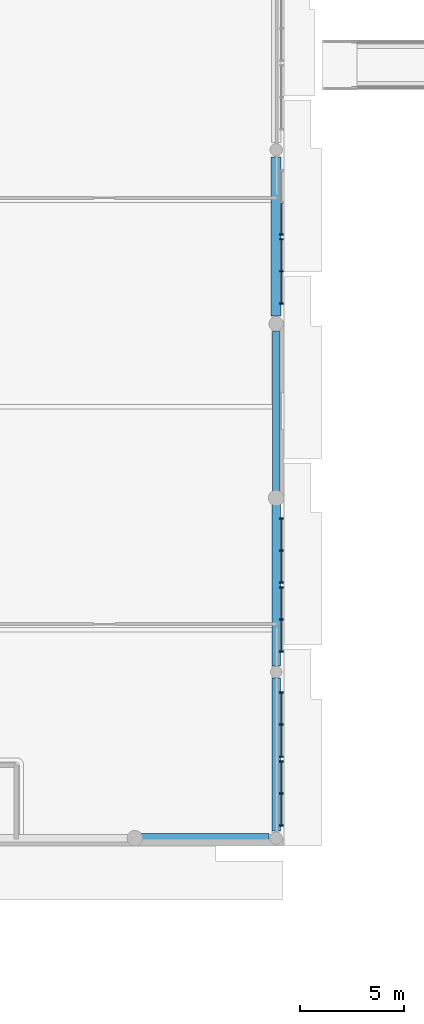
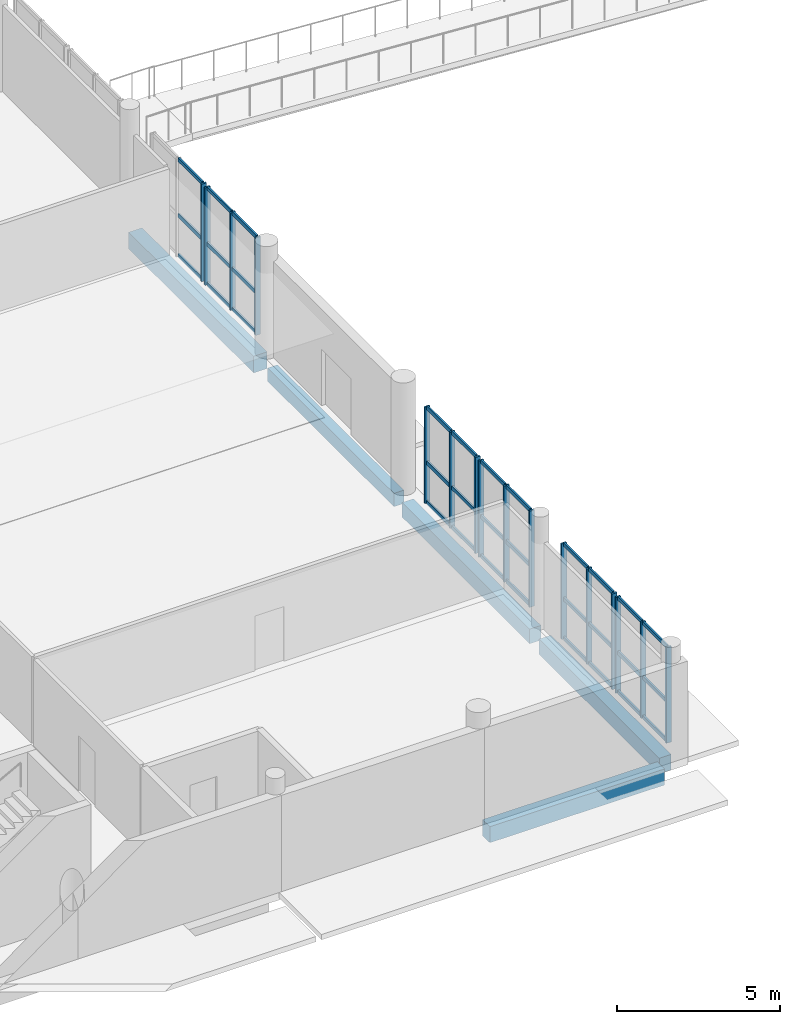
# One storey, part 19 of 77: 49 members, 5 beams, 6 elements without a shape of their own.
"""IFC4 building model written with IfcOpenShell, lengths in metres."""

from ifc_helpers import new_model, si_unit, direction, frame, origin, origin_2d, place, context, subcontext, project, spatial, rectangle, extrude, material, layer, layer_set, material_profile, profile_set, type_object, element, aggregate, save


model = new_model("IFC4")

# Units and contexts
model_context = context("Model", 3, precision=1e-05, world=origin(), true_north=direction((0.0, 1.0)))
body_context = subcontext(model_context, "Body", "Model", "MODEL_VIEW")
ifc_project = project(units=[si_unit("LENGTHUNIT", "METRE"), si_unit("AREAUNIT", "SQUARE_METRE"), si_unit("VOLUMEUNIT", "CUBIC_METRE"), si_unit("PLANEANGLEUNIT", "RADIAN"), si_unit("MASSUNIT", "GRAM", prefix="KILO")], contexts=[model_context])

# Site, building, storey
site_placement = place(None, origin())
site = spatial("IfcSite", under=ifc_project, at=site_placement, CompositionType="ELEMENT")
building_placement = place(site_placement, origin())
building = spatial("IfcBuilding", under=site, at=building_placement, Name="Vardoun Plaza Health Centre", CompositionType="ELEMENT")
storey_placement = place(building_placement, origin())
storey = spatial("IfcBuildingStorey", under=building, at=storey_placement, Name="L00", CompositionType="ELEMENT", Elevation=0.0)

# Beams
ifc_material_1 = material(Name="Concrete C35/45", Category="concrete")
ifc_material_profile_1 = material_profile(ifc_material_1, rectangle(XDim=0.35009765625, YDim=0.5, at=origin_2d()), Name="RC-BM 350x500")
ifc_profile_set_1 = profile_set([ifc_material_profile_1], Name="Concrete C35/45")
beam_type_1 = type_object("IfcBeamType", Name="B-08", PredefinedType="SPANDREL", material=ifc_profile_set_1)
beam_1_placement = place(storey_placement, frame((76.300048828125, 53.375, -0.530029296875), z_axis=(0.0, 1.0, 0.0), x_axis=(-1.0, 0.0, 0.0)))
element("IfcBeam", 1, at=beam_1_placement, inside=storey, type_object=beam_type_1, Name="V1 L00 Beam B-V1-L00-Y24", PredefinedType="SPANDREL", context=body_context, shape_type="SweptSolid", body=[
    extrude(rectangle(XDim=0.35009765625, YDim=0.5, at=origin_2d()), origin(), (0.0, 0.0, 1.0), 7.75),
])
ifc_material_2 = material(Name="Concrete C35/45", Category="concrete")
ifc_material_profile_2 = material_profile(ifc_material_2, rectangle(XDim=0.39990234375, YDim=0.550048828125, at=origin_2d()), Name="RC-BM 400x550")
ifc_profile_set_2 = profile_set([ifc_material_profile_2], Name="Concrete C35/45")
beam_type_2 = type_object("IfcBeamType", Name="B-09", PredefinedType="SPANDREL", material=ifc_profile_set_2)
beam_2_placement = place(storey_placement, frame((76.300048828125, 45.0, -0.554931640625), z_axis=(0.0, 1.0, 0.0), x_axis=(-1.0, 0.0, 0.0)))
element("IfcBeam", 2, at=beam_2_placement, inside=storey, type_object=beam_type_2, Name="V1 L00 Beam B-V1-L00-Y23", PredefinedType="SPANDREL", context=body_context, shape_type="SweptSolid", body=[
    extrude(rectangle(XDim=0.39990234375, YDim=0.550048828125, at=origin_2d()), origin(), (0.0, 0.0, 1.0), 7.824951171875),
])
ifc_material_3 = material(Name="Concrete C35/45", Category="concrete")
ifc_material_profile_3 = material_profile(ifc_material_3, rectangle(XDim=0.419921875, YDim=0.580078125, at=origin_2d()), Name="RC-BM 420x580")
ifc_profile_set_3 = profile_set([ifc_material_profile_3], Name="Concrete C35/45")
beam_type_3 = type_object("IfcBeamType", Name="B-10", PredefinedType="SPANDREL", material=ifc_profile_set_3)
beam_3_placement = place(storey_placement, frame((76.300048828125, 37.030029296875, -0.570068359375), z_axis=(0.0, 1.0, 0.0), x_axis=(-1.0, 0.0, 0.0)))
element("IfcBeam", 3, at=beam_3_placement, inside=storey, type_object=beam_type_3, Name="V1 L00 Beam B-V1-L00-Y22", PredefinedType="SPANDREL", context=body_context, shape_type="SweptSolid", body=[
    extrude(rectangle(XDim=0.419921875, YDim=0.580078125, at=origin_2d()), origin(), (0.0, 0.0, 1.0), 7.3701171875),
])
ifc_material_4 = material(Name="Concrete C35/45", Category="concrete")
ifc_material_profile_4 = material_profile(ifc_material_4, rectangle(XDim=0.449951171875, YDim=0.60009765625, at=origin_2d()), Name="RC-BM 450x600")
ifc_profile_set_4 = profile_set([ifc_material_profile_4], Name="Concrete C35/45")
beam_type_4 = type_object("IfcBeamType", Name="B-11", PredefinedType="SPANDREL", material=ifc_profile_set_4)
beam_4_placement = place(storey_placement, frame((69.7548828125, 36.679931640625, -0.580078125), z_axis=(1.0, 0.0, 0.0), x_axis=(0.0, 1.0, 0.0)))
element("IfcBeam", 4, at=beam_4_placement, inside=storey, type_object=beam_type_4, Name="V1 L00 Beam B-V1-L00-X11", PredefinedType="SPANDREL", context=body_context, shape_type="SweptSolid", body=[
    extrude(rectangle(XDim=0.449951171875, YDim=0.60009765625, at=origin_2d()), origin(), (0.0, 0.0, 1.0), 6.195068359375),
])
ifc_material_5 = material(Name="Concrete C35/45", Category="concrete")
ifc_material_profile_5 = material_profile(ifc_material_5, rectangle(XDim=0.47998046875, YDim=0.6201171875, at=origin_2d()), Name="RC-BM 480x620")
ifc_profile_set_5 = profile_set([ifc_material_profile_5], Name="Concrete C35/45")
beam_type_5 = type_object("IfcBeamType", Name="B-12", PredefinedType="SPANDREL", material=ifc_profile_set_5)
beam_5_placement = place(storey_placement, frame((76.300048828125, 61.875, -0.590087890625), z_axis=(0.0, 1.0, 0.0), x_axis=(-1.0, 0.0, 0.0)))
element("IfcBeam", 5, at=beam_5_placement, inside=storey, type_object=beam_type_5, Name="V1 L00 Beam B-V1-L00-Y25", PredefinedType="SPANDREL", context=body_context, shape_type="SweptSolid", body=[
    extrude(rectangle(XDim=0.47998046875, YDim=0.6201171875, at=origin_2d()), origin(), (0.0, 0.0, 1.0), 7.675048828125),
])

# Curtain wall, member
ifc_material_6 = material(Name="Aluminium Alloy EN AW-6063-T6 and Low-E Glass", Category="aluminium")
ifc_layer = layer(ifc_material_6, 0.179931640625)
ifc_layer_set = layer_set([ifc_layer], Name="Aluminium Alloy EN AW-6063-T6 and Low-E Glass")
curtain_wall_type = type_object("IfcCurtainWallType", Name="CW-01", PredefinedType="USERDEFINED", material=ifc_layer_set)
curtain_wall_1_placement = place(storey_placement, origin())
curtain_wall_1 = element("IfcCurtainWall", 6, at=curtain_wall_1_placement, inside=storey, type_object=curtain_wall_type, Name="Curtain Wall CW-V1-009", ObjectType="CONCOURSE_CURTAIN_WALL", PredefinedType="USERDEFINED")
ifc_material_7 = material(Name="Aluminium Alloy EN AW-6063-T6", Category="aluminium")
ifc_material_profile_6 = material_profile(ifc_material_7, rectangle(XDim=0.179931640625, YDim=0.06494140625, at=origin_2d()), Name="CWM 65x180")
ifc_profile_set_6 = profile_set([ifc_material_profile_6], Name="Aluminium Alloy EN AW-6063-T6")
member_type_1 = type_object("IfcMemberType", Name="CW-M2", PredefinedType="MULLION", material=ifc_profile_set_6)
member_1_placement = place(storey_placement, frame((76.56005859375, 65.8125, 0.0), z_axis=(0.0, 0.0, 1.0), x_axis=(1.0, 0.0, 0.0)))
member_1 = element("IfcMember", 7, at=member_1_placement, type_object=member_type_1, Name="CW-V1-009 mullion 3", PredefinedType="MULLION", context=body_context, shape_type="SweptSolid", body=[
    extrude(rectangle(XDim=0.179931640625, YDim=0.06494140625, at=origin_2d()), origin(), (0.0, 0.0, 1.0), 3.655029296875),
])

# Curtain wall, members
curtain_wall_2_placement = place(storey_placement, origin())
curtain_wall_2 = element("IfcCurtainWall", 8, at=curtain_wall_2_placement, inside=storey, type_object=curtain_wall_type, Name="Curtain Wall CW-V1-010", ObjectType="CONCOURSE_CURTAIN_WALL", PredefinedType="USERDEFINED")
member_2_placement = place(storey_placement, frame((76.56005859375, 65.587646484375, 0.0), z_axis=(0.0, 0.0, 1.0), x_axis=(1.0, 0.0, 0.0)))
member_2 = element("IfcMember", 9, at=member_2_placement, type_object=member_type_1, Name="CW-V1-010 mullion 1", PredefinedType="MULLION", context=body_context, shape_type="SweptSolid", body=[
    extrude(rectangle(XDim=0.179931640625, YDim=0.06494140625, at=origin_2d()), origin(), (0.0, 0.0, 1.0), 3.655029296875),
])
member_3_placement = place(storey_placement, frame((76.56005859375, 64.0400390625, 0.0), z_axis=(0.0, 0.0, 1.0), x_axis=(1.0, 0.0, 0.0)))
member_3 = element("IfcMember", 10, at=member_3_placement, type_object=member_type_1, Name="CW-V1-010 mullion 2", PredefinedType="MULLION", context=body_context, shape_type="SweptSolid", body=[
    extrude(rectangle(XDim=0.179931640625, YDim=0.06494140625, at=origin_2d()), origin(), (0.0, 0.0, 1.0), 3.655029296875),
])
member_4_placement = place(storey_placement, frame((76.56005859375, 62.492431640625, 0.0), z_axis=(0.0, 0.0, 1.0), x_axis=(1.0, 0.0, 0.0)))
member_4 = element("IfcMember", 11, at=member_4_placement, type_object=member_type_1, Name="CW-V1-010 mullion 3", PredefinedType="MULLION", context=body_context, shape_type="SweptSolid", body=[
    extrude(rectangle(XDim=0.179931640625, YDim=0.06494140625, at=origin_2d()), origin(), (0.0, 0.0, 1.0), 3.655029296875),
])

curtain_wall_3_placement = place(storey_placement, origin())
curtain_wall_3 = element("IfcCurtainWall", 12, at=curtain_wall_3_placement, inside=storey, type_object=curtain_wall_type, Name="Curtain Wall CW-V1-011", ObjectType="CONCOURSE_CURTAIN_WALL", PredefinedType="USERDEFINED")
member_5_placement = place(storey_placement, frame((76.56005859375, 52.107421875, 0.0), z_axis=(0.0, 0.0, 1.0), x_axis=(1.0, 0.0, 0.0)))
member_5 = element("IfcMember", 13, at=member_5_placement, type_object=member_type_1, Name="CW-V1-011 mullion 1", PredefinedType="MULLION", context=body_context, shape_type="SweptSolid", body=[
    extrude(rectangle(XDim=0.179931640625, YDim=0.06494140625, at=origin_2d()), origin(), (0.0, 0.0, 1.0), 3.60498046875),
])
member_6_placement = place(storey_placement, frame((76.56005859375, 50.56005859375, 0.0), z_axis=(0.0, 0.0, 1.0), x_axis=(1.0, 0.0, 0.0)))
member_6 = element("IfcMember", 14, at=member_6_placement, type_object=member_type_1, Name="CW-V1-011 mullion 2", PredefinedType="MULLION", context=body_context, shape_type="SweptSolid", body=[
    extrude(rectangle(XDim=0.179931640625, YDim=0.06494140625, at=origin_2d()), origin(), (0.0, 0.0, 1.0), 3.60498046875),
])
member_7_placement = place(storey_placement, frame((76.56005859375, 49.012451171875, 0.0), z_axis=(0.0, 0.0, 1.0), x_axis=(1.0, 0.0, 0.0)))
member_7 = element("IfcMember", 15, at=member_7_placement, type_object=member_type_1, Name="CW-V1-011 mullion 3", PredefinedType="MULLION", context=body_context, shape_type="SweptSolid", body=[
    extrude(rectangle(XDim=0.179931640625, YDim=0.06494140625, at=origin_2d()), origin(), (0.0, 0.0, 1.0), 3.60498046875),
])

curtain_wall_4_placement = place(storey_placement, origin())
curtain_wall_4 = element("IfcCurtainWall", 16, at=curtain_wall_4_placement, inside=storey, type_object=curtain_wall_type, Name="Curtain Wall CW-V1-012", ObjectType="CONCOURSE_CURTAIN_WALL", PredefinedType="USERDEFINED")
member_8_placement = place(storey_placement, frame((76.56005859375, 48.78759765625, 0.0), z_axis=(0.0, 0.0, 1.0), x_axis=(1.0, 0.0, 0.0)))
member_8 = element("IfcMember", 17, at=member_8_placement, type_object=member_type_1, Name="CW-V1-012 mullion 1", PredefinedType="MULLION", context=body_context, shape_type="SweptSolid", body=[
    extrude(rectangle(XDim=0.179931640625, YDim=0.06494140625, at=origin_2d()), origin(), (0.0, 0.0, 1.0), 3.60498046875),
])
member_9_placement = place(storey_placement, frame((76.56005859375, 47.239990234375, 0.0), z_axis=(0.0, 0.0, 1.0), x_axis=(1.0, 0.0, 0.0)))
member_9 = element("IfcMember", 18, at=member_9_placement, type_object=member_type_1, Name="CW-V1-012 mullion 2", PredefinedType="MULLION", context=body_context, shape_type="SweptSolid", body=[
    extrude(rectangle(XDim=0.179931640625, YDim=0.06494140625, at=origin_2d()), origin(), (0.0, 0.0, 1.0), 3.60498046875),
])
member_10_placement = place(storey_placement, frame((76.56005859375, 45.6923828125, 0.0), z_axis=(0.0, 0.0, 1.0), x_axis=(1.0, 0.0, 0.0)))
member_10 = element("IfcMember", 19, at=member_10_placement, type_object=member_type_1, Name="CW-V1-012 mullion 3", PredefinedType="MULLION", context=body_context, shape_type="SweptSolid", body=[
    extrude(rectangle(XDim=0.179931640625, YDim=0.06494140625, at=origin_2d()), origin(), (0.0, 0.0, 1.0), 3.60498046875),
])

curtain_wall_5_placement = place(storey_placement, origin())
curtain_wall_5 = element("IfcCurtainWall", 20, at=curtain_wall_5_placement, inside=storey, type_object=curtain_wall_type, Name="Curtain Wall CW-V1-013", ObjectType="CONCOURSE_CURTAIN_WALL", PredefinedType="USERDEFINED")
member_11_placement = place(storey_placement, frame((76.56005859375, 43.70751953125, 0.0), z_axis=(0.0, 0.0, 1.0), x_axis=(1.0, 0.0, 0.0)))
member_11 = element("IfcMember", 21, at=member_11_placement, type_object=member_type_1, Name="CW-V1-013 mullion 1", PredefinedType="MULLION", context=body_context, shape_type="SweptSolid", body=[
    extrude(rectangle(XDim=0.179931640625, YDim=0.06494140625, at=origin_2d()), origin(), (0.0, 0.0, 1.0), 3.5849609375),
])
member_12_placement = place(storey_placement, frame((76.56005859375, 42.159912109375, 0.0), z_axis=(0.0, 0.0, 1.0), x_axis=(1.0, 0.0, 0.0)))
member_12 = element("IfcMember", 22, at=member_12_placement, type_object=member_type_1, Name="CW-V1-013 mullion 2", PredefinedType="MULLION", context=body_context, shape_type="SweptSolid", body=[
    extrude(rectangle(XDim=0.179931640625, YDim=0.06494140625, at=origin_2d()), origin(), (0.0, 0.0, 1.0), 3.5849609375),
])
member_13_placement = place(storey_placement, frame((76.56005859375, 40.612548828125, 0.0), z_axis=(0.0, 0.0, 1.0), x_axis=(1.0, 0.0, 0.0)))
member_13 = element("IfcMember", 23, at=member_13_placement, type_object=member_type_1, Name="CW-V1-013 mullion 3", PredefinedType="MULLION", context=body_context, shape_type="SweptSolid", body=[
    extrude(rectangle(XDim=0.179931640625, YDim=0.06494140625, at=origin_2d()), origin(), (0.0, 0.0, 1.0), 3.5849609375),
])

curtain_wall_6_placement = place(storey_placement, origin())
curtain_wall_6 = element("IfcCurtainWall", 24, at=curtain_wall_6_placement, inside=storey, type_object=curtain_wall_type, Name="Curtain Wall CW-V1-014", ObjectType="CONCOURSE_CURTAIN_WALL", PredefinedType="USERDEFINED")
member_14_placement = place(storey_placement, frame((76.56005859375, 40.387451171875, 0.0), z_axis=(0.0, 0.0, 1.0), x_axis=(1.0, 0.0, 0.0)))
member_14 = element("IfcMember", 25, at=member_14_placement, type_object=member_type_1, Name="CW-V1-014 mullion 1", PredefinedType="MULLION", context=body_context, shape_type="SweptSolid", body=[
    extrude(rectangle(XDim=0.179931640625, YDim=0.06494140625, at=origin_2d()), origin(), (0.0, 0.0, 1.0), 3.5849609375),
])
member_15_placement = place(storey_placement, frame((76.56005859375, 38.840087890625, 0.0), z_axis=(0.0, 0.0, 1.0), x_axis=(1.0, 0.0, 0.0)))
member_15 = element("IfcMember", 26, at=member_15_placement, type_object=member_type_1, Name="CW-V1-014 mullion 2", PredefinedType="MULLION", context=body_context, shape_type="SweptSolid", body=[
    extrude(rectangle(XDim=0.179931640625, YDim=0.06494140625, at=origin_2d()), origin(), (0.0, 0.0, 1.0), 3.5849609375),
])
member_16_placement = place(storey_placement, frame((76.56005859375, 37.29248046875, 0.0), z_axis=(0.0, 0.0, 1.0), x_axis=(1.0, 0.0, 0.0)))
member_16 = element("IfcMember", 27, at=member_16_placement, type_object=member_type_1, Name="CW-V1-014 mullion 3", PredefinedType="MULLION", context=body_context, shape_type="SweptSolid", body=[
    extrude(rectangle(XDim=0.179931640625, YDim=0.06494140625, at=origin_2d()), origin(), (0.0, 0.0, 1.0), 3.5849609375),
])

# Member
ifc_material_8 = material(Name="Aluminium Alloy EN AW-6063-T6", Category="aluminium")
ifc_material_profile_7 = material_profile(ifc_material_8, rectangle(XDim=0.06494140625, YDim=0.139892578125, at=origin_2d()), Name="CWT 65x140")
ifc_profile_set_7 = profile_set([ifc_material_profile_7], Name="Aluminium Alloy EN AW-6063-T6")
member_type_2 = type_object("IfcMemberType", Name="CW-T2", PredefinedType="USERDEFINED", material=ifc_profile_set_7)
member_17_placement = place(storey_placement, frame((76.56005859375, 67.327392578125, 0.032470703125), z_axis=(0.0, -1.0, 0.0), x_axis=(1.0, 0.0, 0.0)))
member_17 = element("IfcMember", 28, at=member_17_placement, type_object=member_type_2, Name="CW-V1-009 transom 2.1", ObjectType="TRANSOM", PredefinedType="USERDEFINED", context=body_context, shape_type="SweptSolid", body=[
    extrude(rectangle(XDim=0.06494140625, YDim=0.139892578125, at=origin_2d()), origin(), (0.0, 0.0, 1.0), 1.482421875),
])

member_18_placement = place(storey_placement, frame((76.56005859375, 67.327392578125, 1.53515625), z_axis=(0.0, -1.0, 0.0), x_axis=(1.0, 0.0, 0.0)))
member_18 = element("IfcMember", 29, at=member_18_placement, type_object=member_type_2, Name="CW-V1-009 transom 2.2", ObjectType="TRANSOM", PredefinedType="USERDEFINED", context=body_context, shape_type="SweptSolid", body=[
    extrude(rectangle(XDim=0.06494140625, YDim=0.139892578125, at=origin_2d()), origin(), (0.0, 0.0, 1.0), 1.482421875),
])

member_19_placement = place(storey_placement, frame((76.56005859375, 67.327392578125, 3.62255859375), z_axis=(0.0, -1.0, 0.0), x_axis=(1.0, 0.0, 0.0)))
member_19 = element("IfcMember", 30, at=member_19_placement, type_object=member_type_2, Name="CW-V1-009 transom 2.3", ObjectType="TRANSOM", PredefinedType="USERDEFINED", context=body_context, shape_type="SweptSolid", body=[
    extrude(rectangle(XDim=0.06494140625, YDim=0.139892578125, at=origin_2d()), origin(), (0.0, 0.0, 1.0), 1.482421875),
])

aggregate(curtain_wall_1, [member_1, member_17, member_18, member_19])

member_20_placement = place(storey_placement, frame((76.56005859375, 65.554931640625, 0.032470703125), z_axis=(0.0, -1.0, 0.0), x_axis=(1.0, 0.0, 0.0)))
member_20 = element("IfcMember", 31, at=member_20_placement, type_object=member_type_2, Name="CW-V1-010 transom 1.1", ObjectType="TRANSOM", PredefinedType="USERDEFINED", context=body_context, shape_type="SweptSolid", body=[
    extrude(rectangle(XDim=0.06494140625, YDim=0.139892578125, at=origin_2d()), origin(), (0.0, 0.0, 1.0), 1.482421875),
])

member_21_placement = place(storey_placement, frame((76.56005859375, 65.554931640625, 1.53515625), z_axis=(0.0, -1.0, 0.0), x_axis=(1.0, 0.0, 0.0)))
member_21 = element("IfcMember", 32, at=member_21_placement, type_object=member_type_2, Name="CW-V1-010 transom 1.2", ObjectType="TRANSOM", PredefinedType="USERDEFINED", context=body_context, shape_type="SweptSolid", body=[
    extrude(rectangle(XDim=0.06494140625, YDim=0.139892578125, at=origin_2d()), origin(), (0.0, 0.0, 1.0), 1.482421875),
])

member_22_placement = place(storey_placement, frame((76.56005859375, 65.554931640625, 3.62255859375), z_axis=(0.0, -1.0, 0.0), x_axis=(1.0, 0.0, 0.0)))
member_22 = element("IfcMember", 33, at=member_22_placement, type_object=member_type_2, Name="CW-V1-010 transom 1.3", ObjectType="TRANSOM", PredefinedType="USERDEFINED", context=body_context, shape_type="SweptSolid", body=[
    extrude(rectangle(XDim=0.06494140625, YDim=0.139892578125, at=origin_2d()), origin(), (0.0, 0.0, 1.0), 1.482421875),
])

member_23_placement = place(storey_placement, frame((76.56005859375, 64.007568359375, 0.032470703125), z_axis=(0.0, -1.0, 0.0), x_axis=(1.0, 0.0, 0.0)))
member_23 = element("IfcMember", 34, at=member_23_placement, type_object=member_type_2, Name="CW-V1-010 transom 2.1", ObjectType="TRANSOM", PredefinedType="USERDEFINED", context=body_context, shape_type="SweptSolid", body=[
    extrude(rectangle(XDim=0.06494140625, YDim=0.139892578125, at=origin_2d()), origin(), (0.0, 0.0, 1.0), 1.482421875),
])

member_24_placement = place(storey_placement, frame((76.56005859375, 64.007568359375, 1.53515625), z_axis=(0.0, -1.0, 0.0), x_axis=(1.0, 0.0, 0.0)))
member_24 = element("IfcMember", 35, at=member_24_placement, type_object=member_type_2, Name="CW-V1-010 transom 2.2", ObjectType="TRANSOM", PredefinedType="USERDEFINED", context=body_context, shape_type="SweptSolid", body=[
    extrude(rectangle(XDim=0.06494140625, YDim=0.139892578125, at=origin_2d()), origin(), (0.0, 0.0, 1.0), 1.482421875),
])

member_25_placement = place(storey_placement, frame((76.56005859375, 64.007568359375, 3.62255859375), z_axis=(0.0, -1.0, 0.0), x_axis=(1.0, 0.0, 0.0)))
member_25 = element("IfcMember", 36, at=member_25_placement, type_object=member_type_2, Name="CW-V1-010 transom 2.3", ObjectType="TRANSOM", PredefinedType="USERDEFINED", context=body_context, shape_type="SweptSolid", body=[
    extrude(rectangle(XDim=0.06494140625, YDim=0.139892578125, at=origin_2d()), origin(), (0.0, 0.0, 1.0), 1.482421875),
])

aggregate(curtain_wall_2, [member_2, member_3, member_4, member_20, member_21, member_22, member_23, member_24, member_25])

member_26_placement = place(storey_placement, frame((76.56005859375, 52.074951171875, 0.032470703125), z_axis=(0.0, -1.0, 0.0), x_axis=(1.0, 0.0, 0.0)))
member_26 = element("IfcMember", 37, at=member_26_placement, type_object=member_type_2, Name="CW-V1-011 transom 1.1", ObjectType="TRANSOM", PredefinedType="USERDEFINED", context=body_context, shape_type="SweptSolid", body=[
    extrude(rectangle(XDim=0.06494140625, YDim=0.139892578125, at=origin_2d()), origin(), (0.0, 0.0, 1.0), 1.482421875),
])

member_27_placement = place(storey_placement, frame((76.56005859375, 52.074951171875, 1.51416015625), z_axis=(0.0, -1.0, 0.0), x_axis=(1.0, 0.0, 0.0)))
member_27 = element("IfcMember", 38, at=member_27_placement, type_object=member_type_2, Name="CW-V1-011 transom 1.2", ObjectType="TRANSOM", PredefinedType="USERDEFINED", context=body_context, shape_type="SweptSolid", body=[
    extrude(rectangle(XDim=0.06494140625, YDim=0.139892578125, at=origin_2d()), origin(), (0.0, 0.0, 1.0), 1.482421875),
])

member_28_placement = place(storey_placement, frame((76.56005859375, 52.074951171875, 3.572509765625), z_axis=(0.0, -1.0, 0.0), x_axis=(1.0, 0.0, 0.0)))
member_28 = element("IfcMember", 39, at=member_28_placement, type_object=member_type_2, Name="CW-V1-011 transom 1.3", ObjectType="TRANSOM", PredefinedType="USERDEFINED", context=body_context, shape_type="SweptSolid", body=[
    extrude(rectangle(XDim=0.06494140625, YDim=0.139892578125, at=origin_2d()), origin(), (0.0, 0.0, 1.0), 1.482421875),
])

member_29_placement = place(storey_placement, frame((76.56005859375, 50.527587890625, 0.032470703125), z_axis=(0.0, -1.0, 0.0), x_axis=(1.0, 0.0, 0.0)))
member_29 = element("IfcMember", 40, at=member_29_placement, type_object=member_type_2, Name="CW-V1-011 transom 2.1", ObjectType="TRANSOM", PredefinedType="USERDEFINED", context=body_context, shape_type="SweptSolid", body=[
    extrude(rectangle(XDim=0.06494140625, YDim=0.139892578125, at=origin_2d()), origin(), (0.0, 0.0, 1.0), 1.482666015625),
])

member_30_placement = place(storey_placement, frame((76.56005859375, 50.527587890625, 1.51416015625), z_axis=(0.0, -1.0, 0.0), x_axis=(1.0, 0.0, 0.0)))
member_30 = element("IfcMember", 41, at=member_30_placement, type_object=member_type_2, Name="CW-V1-011 transom 2.2", ObjectType="TRANSOM", PredefinedType="USERDEFINED", context=body_context, shape_type="SweptSolid", body=[
    extrude(rectangle(XDim=0.06494140625, YDim=0.139892578125, at=origin_2d()), origin(), (0.0, 0.0, 1.0), 1.482666015625),
])

member_31_placement = place(storey_placement, frame((76.56005859375, 50.527587890625, 3.572509765625), z_axis=(0.0, -1.0, 0.0), x_axis=(1.0, 0.0, 0.0)))
member_31 = element("IfcMember", 42, at=member_31_placement, type_object=member_type_2, Name="CW-V1-011 transom 2.3", ObjectType="TRANSOM", PredefinedType="USERDEFINED", context=body_context, shape_type="SweptSolid", body=[
    extrude(rectangle(XDim=0.06494140625, YDim=0.139892578125, at=origin_2d()), origin(), (0.0, 0.0, 1.0), 1.482666015625),
])

aggregate(curtain_wall_3, [member_5, member_6, member_7, member_26, member_27, member_28, member_29, member_30, member_31])

member_32_placement = place(storey_placement, frame((76.56005859375, 48.7548828125, 0.032470703125), z_axis=(0.0, -1.0, 0.0), x_axis=(1.0, 0.0, 0.0)))
member_32 = element("IfcMember", 43, at=member_32_placement, type_object=member_type_2, Name="CW-V1-012 transom 1.1", ObjectType="TRANSOM", PredefinedType="USERDEFINED", context=body_context, shape_type="SweptSolid", body=[
    extrude(rectangle(XDim=0.06494140625, YDim=0.139892578125, at=origin_2d()), origin(), (0.0, 0.0, 1.0), 1.482421875),
])

member_33_placement = place(storey_placement, frame((76.56005859375, 48.7548828125, 1.51416015625), z_axis=(0.0, -1.0, 0.0), x_axis=(1.0, 0.0, 0.0)))
member_33 = element("IfcMember", 44, at=member_33_placement, type_object=member_type_2, Name="CW-V1-012 transom 1.2", ObjectType="TRANSOM", PredefinedType="USERDEFINED", context=body_context, shape_type="SweptSolid", body=[
    extrude(rectangle(XDim=0.06494140625, YDim=0.139892578125, at=origin_2d()), origin(), (0.0, 0.0, 1.0), 1.482421875),
])

member_34_placement = place(storey_placement, frame((76.56005859375, 48.7548828125, 3.572509765625), z_axis=(0.0, -1.0, 0.0), x_axis=(1.0, 0.0, 0.0)))
member_34 = element("IfcMember", 45, at=member_34_placement, type_object=member_type_2, Name="CW-V1-012 transom 1.3", ObjectType="TRANSOM", PredefinedType="USERDEFINED", context=body_context, shape_type="SweptSolid", body=[
    extrude(rectangle(XDim=0.06494140625, YDim=0.139892578125, at=origin_2d()), origin(), (0.0, 0.0, 1.0), 1.482421875),
])

member_35_placement = place(storey_placement, frame((76.56005859375, 47.20751953125, 0.032470703125), z_axis=(0.0, -1.0, 0.0), x_axis=(1.0, 0.0, 0.0)))
member_35 = element("IfcMember", 46, at=member_35_placement, type_object=member_type_2, Name="CW-V1-012 transom 2.1", ObjectType="TRANSOM", PredefinedType="USERDEFINED", context=body_context, shape_type="SweptSolid", body=[
    extrude(rectangle(XDim=0.06494140625, YDim=0.139892578125, at=origin_2d()), origin(), (0.0, 0.0, 1.0), 1.482421875),
])

member_36_placement = place(storey_placement, frame((76.56005859375, 47.20751953125, 1.51416015625), z_axis=(0.0, -1.0, 0.0), x_axis=(1.0, 0.0, 0.0)))
member_36 = element("IfcMember", 47, at=member_36_placement, type_object=member_type_2, Name="CW-V1-012 transom 2.2", ObjectType="TRANSOM", PredefinedType="USERDEFINED", context=body_context, shape_type="SweptSolid", body=[
    extrude(rectangle(XDim=0.06494140625, YDim=0.139892578125, at=origin_2d()), origin(), (0.0, 0.0, 1.0), 1.482421875),
])

member_37_placement = place(storey_placement, frame((76.56005859375, 47.20751953125, 3.572509765625), z_axis=(0.0, -1.0, 0.0), x_axis=(1.0, 0.0, 0.0)))
member_37 = element("IfcMember", 48, at=member_37_placement, type_object=member_type_2, Name="CW-V1-012 transom 2.3", ObjectType="TRANSOM", PredefinedType="USERDEFINED", context=body_context, shape_type="SweptSolid", body=[
    extrude(rectangle(XDim=0.06494140625, YDim=0.139892578125, at=origin_2d()), origin(), (0.0, 0.0, 1.0), 1.482421875),
])

aggregate(curtain_wall_4, [member_8, member_9, member_10, member_32, member_33, member_34, member_35, member_36, member_37])

member_38_placement = place(storey_placement, frame((76.56005859375, 43.675048828125, 0.032470703125), z_axis=(0.0, -1.0, 0.0), x_axis=(1.0, 0.0, 0.0)))
member_38 = element("IfcMember", 49, at=member_38_placement, type_object=member_type_2, Name="CW-V1-013 transom 1.1", ObjectType="TRANSOM", PredefinedType="USERDEFINED", context=body_context, shape_type="SweptSolid", body=[
    extrude(rectangle(XDim=0.06494140625, YDim=0.139892578125, at=origin_2d()), origin(), (0.0, 0.0, 1.0), 1.482666015625),
])

member_39_placement = place(storey_placement, frame((76.56005859375, 43.675048828125, 1.505615234375), z_axis=(0.0, -1.0, 0.0), x_axis=(1.0, 0.0, 0.0)))
member_39 = element("IfcMember", 50, at=member_39_placement, type_object=member_type_2, Name="CW-V1-013 transom 1.2", ObjectType="TRANSOM", PredefinedType="USERDEFINED", context=body_context, shape_type="SweptSolid", body=[
    extrude(rectangle(XDim=0.06494140625, YDim=0.139892578125, at=origin_2d()), origin(), (0.0, 0.0, 1.0), 1.482666015625),
])

member_40_placement = place(storey_placement, frame((76.56005859375, 43.675048828125, 3.552490234375), z_axis=(0.0, -1.0, 0.0), x_axis=(1.0, 0.0, 0.0)))
member_40 = element("IfcMember", 51, at=member_40_placement, type_object=member_type_2, Name="CW-V1-013 transom 1.3", ObjectType="TRANSOM", PredefinedType="USERDEFINED", context=body_context, shape_type="SweptSolid", body=[
    extrude(rectangle(XDim=0.06494140625, YDim=0.139892578125, at=origin_2d()), origin(), (0.0, 0.0, 1.0), 1.482666015625),
])

member_41_placement = place(storey_placement, frame((76.56005859375, 42.12744140625, 0.032470703125), z_axis=(0.0, -1.0, 0.0), x_axis=(1.0, 0.0, 0.0)))
member_41 = element("IfcMember", 52, at=member_41_placement, type_object=member_type_2, Name="CW-V1-013 transom 2.1", ObjectType="TRANSOM", PredefinedType="USERDEFINED", context=body_context, shape_type="SweptSolid", body=[
    extrude(rectangle(XDim=0.06494140625, YDim=0.139892578125, at=origin_2d()), origin(), (0.0, 0.0, 1.0), 1.482421875),
])

member_42_placement = place(storey_placement, frame((76.56005859375, 42.12744140625, 1.505615234375), z_axis=(0.0, -1.0, 0.0), x_axis=(1.0, 0.0, 0.0)))
member_42 = element("IfcMember", 53, at=member_42_placement, type_object=member_type_2, Name="CW-V1-013 transom 2.2", ObjectType="TRANSOM", PredefinedType="USERDEFINED", context=body_context, shape_type="SweptSolid", body=[
    extrude(rectangle(XDim=0.06494140625, YDim=0.139892578125, at=origin_2d()), origin(), (0.0, 0.0, 1.0), 1.482421875),
])

member_43_placement = place(storey_placement, frame((76.56005859375, 42.12744140625, 3.552490234375), z_axis=(0.0, -1.0, 0.0), x_axis=(1.0, 0.0, 0.0)))
member_43 = element("IfcMember", 54, at=member_43_placement, type_object=member_type_2, Name="CW-V1-013 transom 2.3", ObjectType="TRANSOM", PredefinedType="USERDEFINED", context=body_context, shape_type="SweptSolid", body=[
    extrude(rectangle(XDim=0.06494140625, YDim=0.139892578125, at=origin_2d()), origin(), (0.0, 0.0, 1.0), 1.482421875),
])

aggregate(curtain_wall_5, [member_11, member_12, member_13, member_38, member_39, member_40, member_41, member_42, member_43])

member_44_placement = place(storey_placement, frame((76.56005859375, 40.35498046875, 0.032470703125), z_axis=(0.0, -1.0, 0.0), x_axis=(1.0, 0.0, 0.0)))
member_44 = element("IfcMember", 55, at=member_44_placement, type_object=member_type_2, Name="CW-V1-014 transom 1.1", ObjectType="TRANSOM", PredefinedType="USERDEFINED", context=body_context, shape_type="SweptSolid", body=[
    extrude(rectangle(XDim=0.06494140625, YDim=0.139892578125, at=origin_2d()), origin(), (0.0, 0.0, 1.0), 1.482421875),
])

member_45_placement = place(storey_placement, frame((76.56005859375, 40.35498046875, 1.505615234375), z_axis=(0.0, -1.0, 0.0), x_axis=(1.0, 0.0, 0.0)))
member_45 = element("IfcMember", 56, at=member_45_placement, type_object=member_type_2, Name="CW-V1-014 transom 1.2", ObjectType="TRANSOM", PredefinedType="USERDEFINED", context=body_context, shape_type="SweptSolid", body=[
    extrude(rectangle(XDim=0.06494140625, YDim=0.139892578125, at=origin_2d()), origin(), (0.0, 0.0, 1.0), 1.482421875),
])

member_46_placement = place(storey_placement, frame((76.56005859375, 40.35498046875, 3.552490234375), z_axis=(0.0, -1.0, 0.0), x_axis=(1.0, 0.0, 0.0)))
member_46 = element("IfcMember", 57, at=member_46_placement, type_object=member_type_2, Name="CW-V1-014 transom 1.3", ObjectType="TRANSOM", PredefinedType="USERDEFINED", context=body_context, shape_type="SweptSolid", body=[
    extrude(rectangle(XDim=0.06494140625, YDim=0.139892578125, at=origin_2d()), origin(), (0.0, 0.0, 1.0), 1.482421875),
])

member_47_placement = place(storey_placement, frame((76.56005859375, 38.8076171875, 0.032470703125), z_axis=(0.0, -1.0, 0.0), x_axis=(1.0, 0.0, 0.0)))
member_47 = element("IfcMember", 58, at=member_47_placement, type_object=member_type_2, Name="CW-V1-014 transom 2.1", ObjectType="TRANSOM", PredefinedType="USERDEFINED", context=body_context, shape_type="SweptSolid", body=[
    extrude(rectangle(XDim=0.06494140625, YDim=0.139892578125, at=origin_2d()), origin(), (0.0, 0.0, 1.0), 1.482666015625),
])

member_48_placement = place(storey_placement, frame((76.56005859375, 38.8076171875, 1.505615234375), z_axis=(0.0, -1.0, 0.0), x_axis=(1.0, 0.0, 0.0)))
member_48 = element("IfcMember", 59, at=member_48_placement, type_object=member_type_2, Name="CW-V1-014 transom 2.2", ObjectType="TRANSOM", PredefinedType="USERDEFINED", context=body_context, shape_type="SweptSolid", body=[
    extrude(rectangle(XDim=0.06494140625, YDim=0.139892578125, at=origin_2d()), origin(), (0.0, 0.0, 1.0), 1.482666015625),
])

member_49_placement = place(storey_placement, frame((76.56005859375, 38.8076171875, 3.552490234375), z_axis=(0.0, -1.0, 0.0), x_axis=(1.0, 0.0, 0.0)))
member_49 = element("IfcMember", 60, at=member_49_placement, type_object=member_type_2, Name="CW-V1-014 transom 2.3", ObjectType="TRANSOM", PredefinedType="USERDEFINED", context=body_context, shape_type="SweptSolid", body=[
    extrude(rectangle(XDim=0.06494140625, YDim=0.139892578125, at=origin_2d()), origin(), (0.0, 0.0, 1.0), 1.482666015625),
])

aggregate(curtain_wall_6, [member_14, member_15, member_16, member_44, member_45, member_46, member_47, member_48, member_49])

save(model, "model.ifc")
